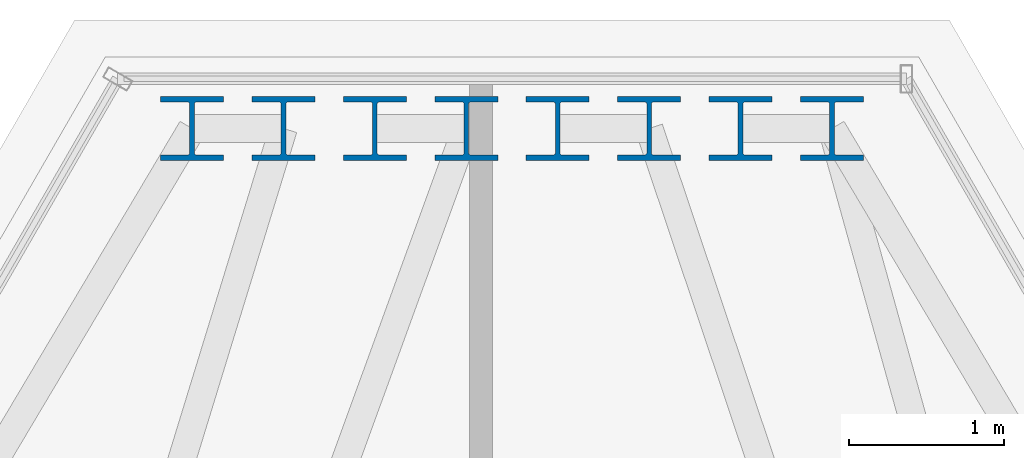
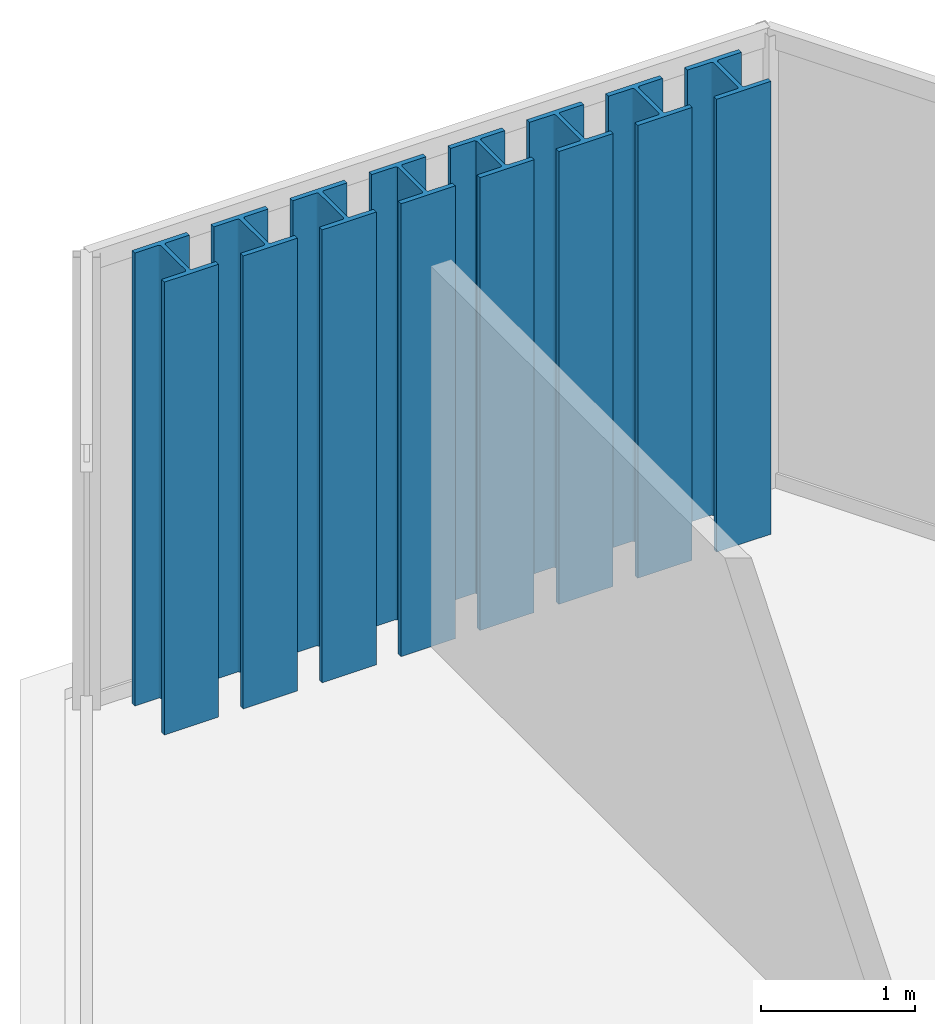
# One storey, part 2 of 35: 8 columns.
"""IFC4 building model written with IfcOpenShell, lengths in metres."""

from ifc_helpers import new_model, si_unit, direction, frame, origin, origin_2d, place, context, subcontext, project, spatial, i_section, extrude, material, material_profile, profile_set, type_object, element, save


model = new_model("IFC4")

# Units and contexts
model_context = context("Model", 3, precision=1e-05, world=origin(), true_north=direction((0.0, 1.0)))
body_context = subcontext(model_context, "Body", "Model", "MODEL_VIEW")
ifc_project = project(units=[si_unit("LENGTHUNIT", "METRE"), si_unit("AREAUNIT", "SQUARE_METRE"), si_unit("VOLUMEUNIT", "CUBIC_METRE"), si_unit("PLANEANGLEUNIT", "RADIAN"), si_unit("MASSUNIT", "GRAM", prefix="KILO")], contexts=[model_context])

# Site, building, storey
site_placement = place(None, origin())
site = spatial("IfcSite", under=ifc_project, at=site_placement, CompositionType="ELEMENT")
building_placement = place(site_placement, origin())
building = spatial("IfcBuilding", under=site, at=building_placement, Name="Ndaravel Arena Tower", CompositionType="ELEMENT")
storey_placement = place(building_placement, frame((0.0, 0.0, 271.199951171875)))
storey = spatial("IfcBuildingStorey", under=building, at=storey_placement, Name="L66", CompositionType="ELEMENT", Elevation=271.199951171875)

# Columns
ifc_material = material(Name="Steel S355", Category="steel")
ifc_material_profile = material_profile(ifc_material, i_section(OverallWidth=0.406005859375, OverallDepth=0.416015625, WebThickness=0.02978515625, FlangeThickness=0.03662109375, FilletRadius=0.014892578125, at=origin_2d()), Name="HD 400x382")
ifc_profile_set = profile_set([ifc_material_profile], Name="Steel S355")
column_type = type_object("IfcColumnType", Name="COL-TUBE-HD382", PredefinedType="COLUMN", material=ifc_profile_set)
for number, where, z_axis, x_axis, name in (
    (1, (44.065185546875, 43.818115234375, 0.0), (0.0, 0.0, 1.0), (1.0, 0.0, 0.0), "L66 Framed Tube Column TC-11"),
    (2, (43.47509765625, 43.818115234375, 0.0), (0.0, 0.0, 1.0), (1.0, 0.0, 0.0), "L66 Framed Tube Column TC-12"),
    (3, (42.885009765625, 43.818115234375, 0.0), (0.0, 0.0, 1.0), (1.0, 0.0, 0.0), "L66 Framed Tube Column TC-13"),
    (4, (42.294921875, 43.818115234375, 0.0), (0.0, 0.0, 1.0), (1.0, 0.0, 0.0), "L66 Framed Tube Column TC-14"),
    (5, (41.705078125, 43.818115234375, 0.0), (0.0, 0.0, 1.0), (1.0, 0.0, 0.0), "L66 Framed Tube Column TC-15"),
    (6, (41.114990234375, 43.818115234375, 0.0), (0.0, 0.0, 1.0), (1.0, 0.0, 0.0), "L66 Framed Tube Column TC-16"),
    (7, (40.52490234375, 43.818115234375, 0.0), (0.0, 0.0, 1.0), (1.0, 0.0, 0.0), "L66 Framed Tube Column TC-17"),
    (8, (39.934814453125, 43.818115234375, 0.0), (0.0, 0.0, 1.0), (1.0, 0.0, 0.0), "L66 Framed Tube Column TC-18"),
):
    element("IfcColumn", number, at=place(storey_placement, frame(where, z_axis=z_axis, x_axis=x_axis)), inside=storey, type_object=column_type, Name=name, PredefinedType="COLUMN", context=body_context, shape_type="SweptSolid", body=[
        extrude(i_section(OverallWidth=0.406005859375, OverallDepth=0.416015625, WebThickness=0.02978515625, FlangeThickness=0.03662109375, FilletRadius=0.014892578125, at=origin_2d()), origin(), (0.0, 0.0, 1.0), 3.580078125),
    ])

save(model, "model.ifc")
